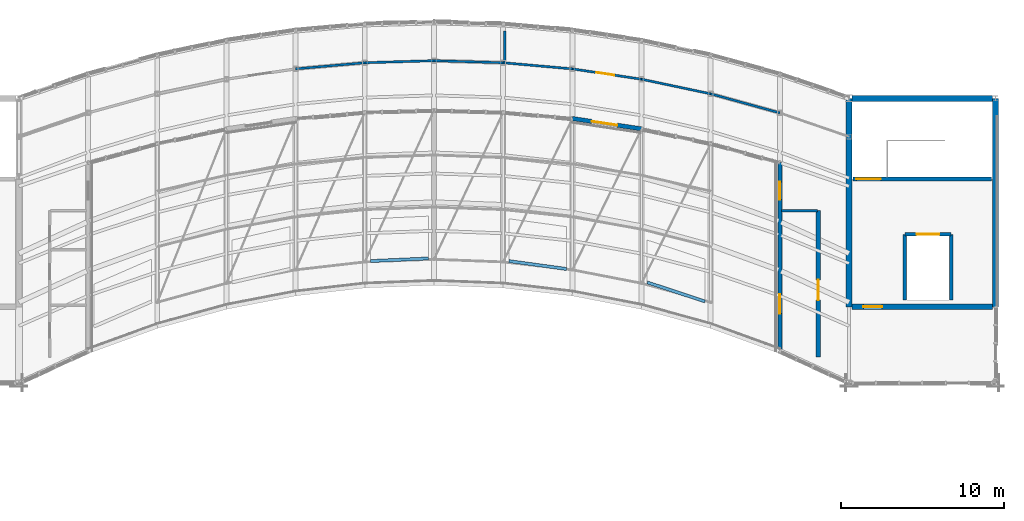
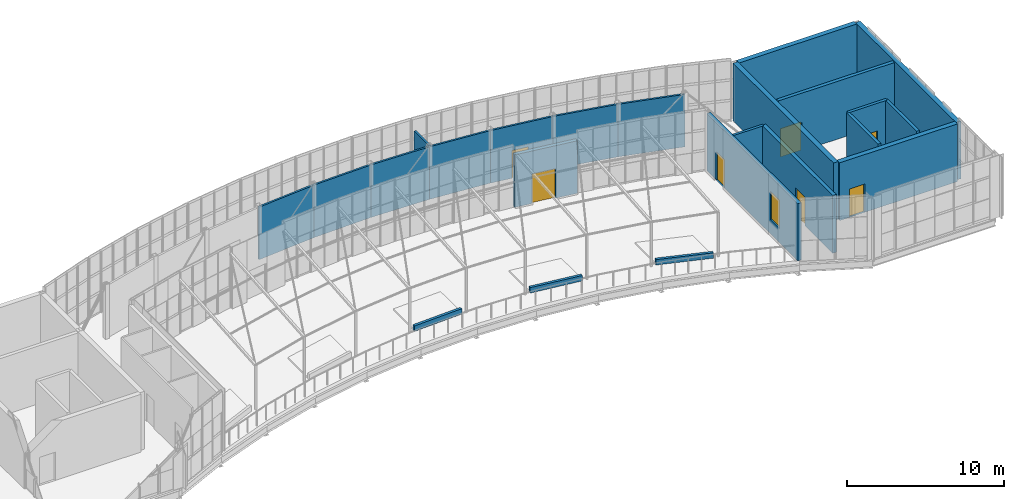
# One storey, part 32 of 35: 23 walls, 7 doors, 1 window, 8 openings.
"""IFC4 building model written with IfcOpenShell, lengths in metres."""

import ifcopenshell
import ifcopenshell.guid

model = None  # the IFC model being written
_history = None  # IfcOwnerHistory: only IFC2X3 demands one
_inside = {}  # id of a spatial element -> (the spatial element, [elements in it])
_under = {}  # id of a project, library or spatial element -> (it, [spatial elements below it])
_declared = {}  # id of a project -> (the project, [libraries it declares])
_typed = {}  # id of a type object -> (the type object, [elements of that type])
_made_of = {}  # id of a material, layer set ... -> (it, [elements and type objects made of it])


def new_model(schema):
    """Start an empty IFC model of exactly this schema.

    Asked for "IFC4X3", IfcOpenShell would pick the latest addendum, in which some entities
    have other attributes; the version numbers below select the first issue.
    IFC2X3 requires an IfcOwnerHistory on every rooted entity: one is made here for all.
    """
    global model, _history
    if schema == "IFC4X3":
        model = ifcopenshell.file(schema_version=(4, 3, 0, 0))
    else:
        model = ifcopenshell.file(schema=schema)
    _inside.clear()
    _under.clear()
    _declared.clear()
    _typed.clear()
    _made_of.clear()
    _history = None
    if model.schema == "IFC2X3":
        org = make("IfcOrganization", Name="unknown")
        user = make(
            "IfcPersonAndOrganization",
            ThePerson=make("IfcPerson", FamilyName="unknown"),
            TheOrganization=org,
        )
        app = make(
            "IfcApplication",
            ApplicationDeveloper=org,
            Version="unknown",
            ApplicationFullName="unknown",
            ApplicationIdentifier="unknown",
        )
        _history = make(
            "IfcOwnerHistory",
            OwningUser=user,
            OwningApplication=app,
            ChangeAction="ADDED",
            CreationDate=0,
        )
    return model


def make(cls, **values):
    """One entity of the class cls with the attributes given. An attribute that is None is left unset."""
    return model.create_entity(
        cls, **{name: value for name, value in values.items() if value is not None}
    )


def rooted(cls, **values):
    """An entity with a GlobalId (a new one), such as an element, a storey or a relation."""
    return make(cls, GlobalId=ifcopenshell.guid.new(), OwnerHistory=_history, **values)


def si_unit(unit_type, name, prefix=None):
    """IfcSIUnit, for example si_unit("LENGTHUNIT", "METRE", prefix="MILLI")."""
    return make("IfcSIUnit", UnitType=unit_type, Prefix=prefix, Name=name)


def assignment(units):
    """IfcUnitAssignment: the units of a project."""
    return None if units is None else make("IfcUnitAssignment", Units=units)


def point(xyz):
    """IfcCartesianPoint."""
    return None if xyz is None else make("IfcCartesianPoint", Coordinates=xyz)


def direction(xyz):
    """IfcDirection."""
    return None if xyz is None else make("IfcDirection", DirectionRatios=xyz)


def frame(location, z_axis=None, x_axis=None):
    """IfcAxis2Placement3D, a coordinate frame: its origin and axes. An axis left out is left unset."""
    return make(
        "IfcAxis2Placement3D",
        Location=point(location),
        Axis=direction(z_axis),
        RefDirection=direction(x_axis),
    )


def frame_2d(location, x_axis=None):
    """IfcAxis2Placement2D, a coordinate frame in the plane: its origin and x axis."""
    return make(
        "IfcAxis2Placement2D", Location=point(location), RefDirection=direction(x_axis)
    )


def origin():
    """The frame at (0, 0, 0) with its axes left unset."""
    return frame((0.0, 0.0, 0.0))


def place(relative_to, where):
    """IfcLocalPlacement: puts the frame where relative to a parent placement (None: the world)."""
    return make(
        "IfcLocalPlacement", PlacementRelTo=relative_to, RelativePlacement=where
    )


def context(
    kind, dimensions, precision=None, world=None, true_north=None, identifier=None
):
    """IfcGeometricRepresentationContext, for example the 3D "Model" context."""
    return make(
        "IfcGeometricRepresentationContext",
        ContextIdentifier=identifier,
        ContextType=kind,
        CoordinateSpaceDimension=dimensions,
        Precision=precision,
        WorldCoordinateSystem=world,
        TrueNorth=true_north,
    )


def subcontext(parent, identifier, kind, view, scale=None):
    """IfcGeometricRepresentationSubContext, for example "Body" below "Model"."""
    return make(
        "IfcGeometricRepresentationSubContext",
        ContextIdentifier=identifier,
        ContextType=kind,
        ParentContext=parent,
        TargetScale=scale,
        TargetView=view,
    )


def project(units=None, contexts=None):
    """IfcProject with its units and contexts."""
    return rooted(
        "IfcProject",
        Name="project",
        RepresentationContexts=contexts,
        UnitsInContext=assignment(units),
    )


def spatial(cls, under=None, at=None, **own):
    """A site, building, storey or space (cls), placed at a placement, below another one or the project."""
    s = rooted(cls, ObjectPlacement=at, **own)
    if under is not None:
        _under.setdefault(under.id(), (under, []))[1].append(s)
    return s


def profile(cls, at=None, kind="AREA", **sizes):
    """A parametric profile (cls). Its sizes go by their IFC names, for example OverallWidth=200.0."""
    return make(cls, ProfileType=kind, Position=at, **sizes)


def rectangle(**sizes):
    """IfcRectangleProfileDef."""
    return profile("IfcRectangleProfileDef", **sizes)


def extrude(swept, where, along, depth):
    """IfcExtrudedAreaSolid: the profile swept, set in the frame where, extruded along a direction by depth."""
    return make(
        "IfcExtrudedAreaSolid",
        SweptArea=swept,
        Position=where,
        ExtrudedDirection=direction(along),
        Depth=depth,
    )


def shape(context_of_items, identifier, shape_type, items):
    """IfcShapeRepresentation: the items that make up one representation, for example the "Body"."""
    return make(
        "IfcShapeRepresentation",
        ContextOfItems=context_of_items,
        RepresentationIdentifier=identifier,
        RepresentationType=shape_type,
        Items=items,
    )


def material(Name=None, Category=None):
    """IfcMaterial."""
    return make("IfcMaterial", Name=Name, Category=Category)


def layer(
    of_material, thickness, ventilated=None, Name=None, Category=None, Priority=None
):
    """IfcMaterialLayer: one layer of a wall or slab, of a material (None: an air gap)."""
    return make(
        "IfcMaterialLayer",
        Material=of_material,
        LayerThickness=thickness,
        IsVentilated=ventilated,
        Name=Name,
        Category=Category,
        Priority=Priority,
    )


def layer_set(layers, Name=None):
    """IfcMaterialLayerSet."""
    return make("IfcMaterialLayerSet", MaterialLayers=layers, LayerSetName=Name)


def made_of(thing, what):
    """Note that an element or type object is made of a material, layer set ...; save() writes the relation."""
    if what is not None:
        _made_of.setdefault(what.id(), (what, []))[1].append(thing)
    return thing


def type_object(cls, material=None, **own):
    """A type object (cls), such as IfcWallType, which elements share."""
    return made_of(rooted(cls, **own), material)


def element(
    cls,
    number,
    at=None,
    inside=None,
    cuts=None,
    type_object=None,
    material=None,
    context=None,
    identifier="Body",
    shape_type=None,
    held_by="IfcProductDefinitionShape",
    body=None,
    shapes=None,
    **own,
):
    """One element of the class cls, such as IfcWall. Its Tag is "e" and its number.

    at: its placement. inside: the storey or other place that contains it. cuts: it is an
    opening in that element (IfcRelVoidsElement). A single representation is given by context,
    identifier, shape_type and body (its items); several are given by shapes. held_by: the class
    of the entity that holds the representations. save() writes the other relations.
    """
    e = rooted(cls, Tag="e%d" % number, ObjectPlacement=at, **own)
    if body is not None:
        shapes = [shape(context, identifier, shape_type, body)]
    if shapes is not None:
        e.Representation = make(held_by, Representations=shapes)
    if inside is not None:
        _inside.setdefault(inside.id(), (inside, []))[1].append(e)
    if cuts is not None:
        rooted(
            "IfcRelVoidsElement", RelatingBuildingElement=cuts, RelatedOpeningElement=e
        )
    if type_object is not None:
        _typed.setdefault(type_object.id(), (type_object, []))[1].append(e)
    return made_of(e, material)


def fill(opening, filler):
    """IfcRelFillsElement: the door or window that sits in an opening."""
    return rooted(
        "IfcRelFillsElement",
        RelatingOpeningElement=opening,
        RelatedBuildingElement=filler,
    )


def aggregate(whole, parts):
    """IfcRelAggregates: a whole, such as a stair, and the parts it consists of."""
    return rooted("IfcRelAggregates", RelatingObject=whole, RelatedObjects=parts)


def save(model, path):
    """Write the relations noted so far, then the file.

    IfcRelAggregates (storeys below a building ...), IfcRelContainedInSpatialStructure (elements
    in a storey), IfcRelDefinesByType, IfcRelAssociatesMaterial and IfcRelDeclares: one each for
    every whole, place, type object, material and project.
    """
    for whole, parts in _under.values():
        aggregate(whole, parts)
    for where, things in _inside.values():
        rooted(
            "IfcRelContainedInSpatialStructure",
            RelatedElements=things,
            RelatingStructure=where,
        )
    for kind, things in _typed.values():
        rooted("IfcRelDefinesByType", RelatedObjects=things, RelatingType=kind)
    for what, things in _made_of.values():
        rooted("IfcRelAssociatesMaterial", RelatedObjects=things, RelatingMaterial=what)
    for by, libraries in _declared.values():
        rooted("IfcRelDeclares", RelatingContext=by, RelatedDefinitions=libraries)
    model.write(path)


model = new_model("IFC4")

# Units and contexts
model_context = context("Model", 3, precision=1e-05, world=origin(), true_north=direction((0.0, 1.0)))
body_context = subcontext(model_context, "Body", "Model", "MODEL_VIEW")
ifc_project = project(units=[si_unit("LENGTHUNIT", "METRE"), si_unit("AREAUNIT", "SQUARE_METRE"), si_unit("VOLUMEUNIT", "CUBIC_METRE"), si_unit("PLANEANGLEUNIT", "RADIAN"), si_unit("MASSUNIT", "GRAM", prefix="KILO")], contexts=[model_context])

# Site, building, storey
site_placement = place(None, origin())
site = spatial("IfcSite", under=ifc_project, at=site_placement, CompositionType="ELEMENT")
building_placement = place(site_placement, origin())
building = spatial("IfcBuilding", under=site, at=building_placement, Name="Solvikara Media Centre", CompositionType="ELEMENT")
storey_placement = place(building_placement, frame((0.0, 0.0, 29.39990234375)))
storey = spatial("IfcBuildingStorey", under=building, at=storey_placement, Name="L06", CompositionType="ELEMENT", Elevation=29.39990234375)

# Walls
ifc_material_1 = material(Name="Concrete fc' 45 MPa (C45/55)", Category="concrete")
ifc_layer_1 = layer(ifc_material_1, 0.35009765625)
ifc_layer_set_1 = layer_set([ifc_layer_1], Name="Concrete fc' 45 MPa (C45/55)")
wall_type_1 = type_object("IfcWallType", Name="WT-03", PredefinedType="SHEAR", material=ifc_layer_set_1)
for number, where, z_axis, x_axis, name in (
    (1, (127.5, 24.0, 0.0), (0.0, 0.0, 1.0), (0.0, 1.0, 0.0), "CW-C4-L06-W"),
    (2, (136.5, 24.0, 0.0), (0.0, 0.0, 1.0), (0.0, 1.0, 0.0), "CW-C4-L06-E"),
):
    element("IfcWall", number, at=place(storey_placement, frame(where, z_axis=z_axis, x_axis=x_axis)), inside=storey, type_object=wall_type_1, Name=name, PredefinedType="SHEAR", context=body_context, shape_type="SweptSolid", body=[
        extrude(rectangle(XDim=12.800048828125, YDim=0.35009765625, at=frame_2d((6.39990234375, 0.0))), origin(), (0.0, 0.0, 1.0), 4.489990234375),
    ])
wall_1_placement = place(storey_placement, frame((127.675048828125, 36.800048828125, 0.0), z_axis=(0.0, 0.0, 1.0), x_axis=(1.0, 0.0, 0.0)))
element("IfcWall", 3, at=wall_1_placement, inside=storey, type_object=wall_type_1, Name="CW-C4-L06-N", PredefinedType="SHEAR", context=body_context, shape_type="SweptSolid", body=[
    extrude(rectangle(XDim=8.64990234375, YDim=0.35009765625, at=frame_2d((4.324951171875, 0.0))), origin(), (0.0, 0.0, 1.0), 4.489990234375),
])

# Wall, opening, door
wall_2_placement = place(storey_placement, frame((127.675048828125, 24.0, 0.0), z_axis=(0.0, 0.0, 1.0), x_axis=(1.0, 0.0, 0.0)))
wall_2 = element("IfcWall", 4, at=wall_2_placement, inside=storey, type_object=wall_type_1, Name="CW-C4-L06-S", PredefinedType="SHEAR", context=body_context, shape_type="SweptSolid", body=[
    extrude(rectangle(XDim=8.64990234375, YDim=0.35009765625, at=frame_2d((4.324951171875, 0.0))), origin(), (0.0, 0.0, 1.0), 4.489990234375),
])
opening_1_placement = place(wall_2_placement, frame((0.699951171875, 0.0, 0.0)))
opening_1 = element("IfcOpeningElement", 5, at=opening_1_placement, cuts=wall_2, Name="Opening D-C4-L06-LOB", PredefinedType="OPENING", context=body_context, shape_type="SweptSolid", body=[
    extrude(rectangle(XDim=1.14990234375, YDim=2.199951171875, at=frame_2d((0.574951171875, 1.10009765625))), frame((0.0, 0.18701171875, 0.0), z_axis=(0.0, -1.0, 0.0), x_axis=(1.0, 0.0, 0.0)), (0.0, 0.0, 1.0), 0.3740234375),
])
ifc_material_2 = material(Name="Insulated fire-rated steel door leaf", Category="steel")
door_type_1 = type_object("IfcDoorType", Name="DT-09", OperationType="NOTDEFINED", PredefinedType="DOOR", material=ifc_material_2)
door_1_placement = place(opening_1_placement, frame((1.14990234375, 0.0, 0.0), z_axis=(0.0, 0.0, 1.0), x_axis=(-1.0, 0.0, 0.0)))
door_1 = element("IfcDoor", 6, at=door_1_placement, inside=storey, type_object=door_type_1, Name="D-C4-L06-LOB", OperationType="SINGLE_SWING_RIGHT", OverallHeight=2.199951171875, OverallWidth=1.14990234375, PredefinedType="DOOR", context=body_context, shape_type="SweptSolid", body=[
    extrude(rectangle(XDim=1.14990234375, YDim=2.199951171875, at=frame_2d((0.574951171875, 1.10009765625))), frame((0.0, 0.02490234375, 0.0), z_axis=(0.0, -1.0, 0.0), x_axis=(1.0, 0.0, 0.0)), (0.0, 0.0, 1.0), 0.050048828125),
])
fill(opening_1, door_1)

ifc_layer_2 = layer(ifc_material_1, 0.25)
ifc_layer_set_2 = layer_set([ifc_layer_2], Name="Concrete fc' 45 MPa (C45/55)")
wall_type_2 = type_object("IfcWallType", Name="WT-07", PredefinedType="STANDARD", material=ifc_layer_set_2)
wall_3_placement = place(storey_placement, frame((127.75, 31.85009765625, 0.0), z_axis=(0.0, 0.0, 1.0), x_axis=(1.0, 0.0, 0.0)))
wall_3 = element("IfcWall", 7, at=wall_3_placement, inside=storey, type_object=wall_type_2, Name="CW-C4-L06-SD", PredefinedType="STANDARD", context=body_context, shape_type="SweptSolid", body=[
    extrude(rectangle(XDim=8.5, YDim=0.25, at=frame_2d((4.25, 0.0))), origin(), (0.0, 0.0, 1.0), 4.489990234375),
])
opening_2_placement = place(wall_3_placement, frame((0.199951171875, 0.0, 0.0)))
opening_2 = element("IfcOpeningElement", 8, at=opening_2_placement, cuts=wall_3, Name="Opening D-C4-L06-ST", PredefinedType="OPENING", context=body_context, shape_type="SweptSolid", body=[
    extrude(rectangle(XDim=1.5, YDim=2.199951171875, at=frame_2d((0.75, 1.10009765625))), frame((0.0, 0.136962890625, 0.0), z_axis=(0.0, -1.0, 0.0), x_axis=(1.0, 0.0, 0.0)), (0.0, 0.0, 1.0), 0.27392578125),
])
door_type_2 = type_object("IfcDoorType", Name="DT-08", OperationType="DOUBLE_DOOR_SINGLE_SWING", PredefinedType="DOOR", material=ifc_material_2)
door_2_placement = place(opening_2_placement, frame((1.5, 0.0, 0.0), z_axis=(0.0, 0.0, 1.0), x_axis=(-1.0, 0.0, 0.0)))
door_2 = element("IfcDoor", 9, at=door_2_placement, inside=storey, type_object=door_type_2, Name="D-C4-L06-ST", OperationType="DOUBLE_DOOR_SINGLE_SWING", OverallHeight=2.199951171875, OverallWidth=1.5, PredefinedType="DOOR", context=body_context, shape_type="SweptSolid", body=[
    extrude(rectangle(XDim=1.5, YDim=2.199951171875, at=frame_2d((0.75, 1.10009765625))), frame((0.0, 0.02490234375, 0.0), z_axis=(0.0, -1.0, 0.0), x_axis=(1.0, 0.0, 0.0)), (0.0, 0.0, 1.0), 0.050048828125),
])
fill(opening_2, door_2)

ifc_material_3 = material(Name="Precast concrete fc' 40 MPa (C40/50)", Category="concrete")
ifc_layer_3 = layer(ifc_material_3, 0.260009765625)
ifc_layer_set_3 = layer_set([ifc_layer_3], Name="Precast concrete fc' 40 MPa (C40/50)")
wall_type_3 = type_object("IfcWallType", Name="WT-12", PredefinedType="STANDARD", material=ifc_layer_set_3)
wall_4_placement = place(storey_placement, frame((110.5, 35.56396484375, 0.0), z_axis=(0.0, 0.0, 1.0), x_axis=(0.989021203369, -0.147773675894, 0.0)))
wall_4 = element("IfcWall", 10, at=wall_4_placement, inside=storey, type_object=wall_type_3, Name="EW-L06-GAL-S08", PredefinedType="STANDARD", context=body_context, shape_type="SweptSolid", body=[
    extrude(rectangle(XDim=4.297119140625, YDim=0.260009765625, at=frame_2d((2.1484375, 0.0))), origin(), (0.0, 0.0, 1.0), 4.08203125),
])
opening_3_placement = place(wall_4_placement, frame((1.199951171875, 0.0, 0.0)))
opening_3 = element("IfcOpeningElement", 11, at=opening_3_placement, cuts=wall_4, Name="Opening TD-L06-TER-08", PredefinedType="OPENING", context=body_context, shape_type="SweptSolid", body=[
    extrude(rectangle(XDim=1.60009765625, YDim=2.300048828125, at=frame_2d((0.800048828125, 1.14990234375))), frame((0.0, 0.14208984375, 0.0), z_axis=(0.0, -1.0, 0.0), x_axis=(1.0, 0.0, 0.0)), (0.0, 0.0, 1.0), 0.283935546875),
])
ifc_material_4 = material(Name="Anodised aluminium EN AW-6063", Category="aluminium")
door_type_3 = type_object("IfcDoorType", Name="DT-04", OperationType="DOUBLE_DOOR_SINGLE_SWING", PredefinedType="DOOR", material=ifc_material_4)
door_3_placement = place(opening_3_placement, frame((1.60009765625, 0.0, 0.0), z_axis=(0.0, 0.0, 1.0), x_axis=(-1.0, 0.0, 0.0)))
door_3 = element("IfcDoor", 12, at=door_3_placement, inside=storey, type_object=door_type_3, Name="TD-L06-TER-08", OperationType="DOUBLE_DOOR_SINGLE_SWING", OverallHeight=2.300048828125, OverallWidth=1.60009765625, PredefinedType="DOOR", context=body_context, shape_type="SweptSolid", body=[
    extrude(rectangle(XDim=1.60009765625, YDim=2.300048828125, at=frame_2d((0.800048828125, 1.14990234375))), frame((0.0, 0.02490234375, 0.0), z_axis=(0.0, -1.0, 0.0), x_axis=(1.0, 0.0, 0.0)), (0.0, 0.0, 1.0), 0.050048828125),
])
fill(opening_3, door_3)

# Wall, openings, door, window
wall_5_placement = place(storey_placement, frame((123.25, 21.279052734375, 0.0), z_axis=(0.0, 0.0, 1.0), x_axis=(0.0, 1.0, 0.0)))
wall_5 = element("IfcWall", 13, at=wall_5_placement, inside=storey, type_object=wall_type_3, Name="EW-L06-PAVE-W", PredefinedType="STANDARD", context=body_context, shape_type="SweptSolid", body=[
    extrude(rectangle(XDim=11.5810546875, YDim=0.260009765625, at=frame_2d((5.79052734375, 0.0))), origin(), (0.0, 0.0, 1.0), 4.4501953125),
])
opening_4_placement = place(wall_5_placement, frame((9.300048828125, 0.0, 0.0)))
opening_4 = element("IfcOpeningElement", 14, at=opening_4_placement, cuts=wall_5, Name="Opening TD-L06-PAVE", PredefinedType="OPENING", context=body_context, shape_type="SweptSolid", body=[
    extrude(rectangle(XDim=1.10009765625, YDim=2.199951171875, at=frame_2d((0.550048828125, 1.10009765625))), frame((0.0, 0.14208984375, 0.0), z_axis=(0.0, -1.0, 0.0), x_axis=(1.0, 0.0, 0.0)), (0.0, 0.0, 1.0), 0.283935546875),
])
opening_5_placement = place(wall_5_placement, frame((2.294921875, 0.0, 1.10009765625)))
opening_5 = element("IfcOpeningElement", 15, at=opening_5_placement, cuts=wall_5, Name="Opening W-L06-PAVEW-W01", PredefinedType="OPENING", context=body_context, shape_type="SweptSolid", body=[
    extrude(rectangle(XDim=1.199951171875, YDim=2.199951171875, at=frame_2d((0.60009765625, 1.10009765625))), frame((0.0, 0.14208984375, 0.0), z_axis=(0.0, -1.0, 0.0), x_axis=(1.0, 0.0, 0.0)), (0.0, 0.0, 1.0), 0.283935546875),
])
door_type_4 = type_object("IfcDoorType", Name="DT-05", OperationType="NOTDEFINED", PredefinedType="DOOR", material=ifc_material_4)
door_4_placement = place(opening_4_placement, origin())
door_4 = element("IfcDoor", 16, at=door_4_placement, inside=storey, type_object=door_type_4, Name="TD-L06-PAVE", OperationType="SINGLE_SWING_RIGHT", OverallHeight=2.199951171875, OverallWidth=1.10009765625, PredefinedType="DOOR", context=body_context, shape_type="SweptSolid", body=[
    extrude(rectangle(XDim=1.10009765625, YDim=2.199951171875, at=frame_2d((0.550048828125, 1.10009765625))), frame((0.0, 0.02490234375, 0.0), z_axis=(0.0, -1.0, 0.0), x_axis=(1.0, 0.0, 0.0)), (0.0, 0.0, 1.0), 0.050048828125),
])
fill(opening_4, door_4)
ifc_material_5 = material(Name="Double-glazed low-E architectural glass", Category="glass")
window_type = type_object("IfcWindowType", Name="WN-06", PartitioningType="SINGLE_PANEL", PredefinedType="WINDOW", material=ifc_material_5)
window_placement = place(opening_5_placement, origin())
window = element("IfcWindow", 17, at=window_placement, inside=storey, type_object=window_type, Name="W-L06-PAVEW-W01", OverallHeight=2.199951171875, OverallWidth=1.199951171875, PartitioningType="SINGLE_PANEL", PredefinedType="WINDOW", context=body_context, shape_type="SweptSolid", body=[
    extrude(rectangle(XDim=1.199951171875, YDim=2.199951171875, at=frame_2d((0.60009765625, 1.10009765625))), frame((0.0, 0.030029296875, 0.0), z_axis=(0.0, -1.0, 0.0), x_axis=(1.0, 0.0, 0.0)), (0.0, 0.0, 1.0), 0.06005859375),
])
fill(opening_5, window)

# Walls
ifc_layer_4 = layer(ifc_material_3, 0.18994140625)
ifc_layer_set_4 = layer_set([ifc_layer_4], Name="Precast concrete fc' 40 MPa (C40/50)")
wall_type_4 = type_object("IfcWallType", Name="WT-15", PredefinedType="PARAPET", material=ifc_layer_set_4)
wall_6_placement = place(storey_placement, frame((98.10009765625, 26.804931640625, 0.0), z_axis=(0.0, 0.0, 1.0), x_axis=(0.99895888498, 0.045619580442, 0.0)))
element("IfcWall", 18, at=wall_6_placement, inside=storey, type_object=wall_type_4, Name="KRB-L06-06", PredefinedType="PARAPET", context=body_context, shape_type="SweptSolid", body=[
    extrude(rectangle(XDim=3.553466796875, YDim=0.18994140625, at=frame_2d((1.77685546875, 0.0))), origin(), (0.0, 0.0, 1.0), 0.420166015625),
])
wall_7_placement = place(storey_placement, frame((106.60009765625, 26.804931640625, 0.0), z_axis=(0.0, 0.0, 1.0), x_axis=(0.990727052091, -0.13586724497, 0.0)))
element("IfcWall", 19, at=wall_7_placement, inside=storey, type_object=wall_type_4, Name="KRB-L06-08", PredefinedType="PARAPET", context=body_context, shape_type="SweptSolid", body=[
    extrude(rectangle(XDim=3.5830078125, YDim=0.18994140625, at=frame_2d((1.79150390625, 0.0))), origin(), (0.0, 0.0, 1.0), 0.420166015625),
])
wall_8_placement = place(storey_placement, frame((115.10009765625, 25.49609375, 0.0), z_axis=(0.0, 0.0, 1.0), x_axis=(0.949574216595, -0.313542353086, 0.0)))
element("IfcWall", 20, at=wall_8_placement, inside=storey, type_object=wall_type_4, Name="KRB-L06-10", PredefinedType="PARAPET", context=body_context, shape_type="SweptSolid", body=[
    extrude(rectangle(XDim=3.73828125, YDim=0.18994140625, at=frame_2d((1.869140625, 0.0))), origin(), (0.0, 0.0, 1.0), 0.420166015625),
])

# Wall, opening, door
ifc_material_6 = material(Name="Double-stud acoustic gypsum partition assembly")
ifc_layer_5 = layer(ifc_material_6, 0.27001953125)
ifc_layer_set_5 = layer_set([ifc_layer_5], Name="Double-stud acoustic gypsum partition assembly")
wall_type_5 = type_object("IfcWallType", Name="WT-16", PredefinedType="PARTITIONING", material=ifc_layer_set_5)
wall_9_placement = place(storey_placement, frame((125.60009765625, 20.89990234375, 0.0), z_axis=(0.0, 0.0, 1.0), x_axis=(0.0, 1.0, 0.0)))
wall_9 = element("IfcWall", 21, at=wall_9_placement, inside=storey, type_object=wall_type_5, Name="PW-L06-184", PredefinedType="PARTITIONING", context=body_context, shape_type="SweptSolid", body=[
    extrude(rectangle(XDim=9.0, YDim=0.27001953125, at=frame_2d((4.5, 0.0))), origin(), (0.0, 0.0, 1.0), 4.5),
])
opening_6_placement = place(wall_9_placement, frame((3.5, 0.0, 0.0)))
opening_6 = element("IfcOpeningElement", 22, at=opening_6_placement, cuts=wall_9, Name="Opening D-L06-184-1", PredefinedType="OPENING", context=body_context, shape_type="SweptSolid", body=[
    extrude(rectangle(XDim=1.25, YDim=2.25, at=frame_2d((0.625, 1.125))), frame((0.0, 0.14697265625, 0.0), z_axis=(0.0, -1.0, 0.0), x_axis=(1.0, 0.0, 0.0)), (0.0, 0.0, 1.0), 0.2939453125),
])
ifc_material_7 = material(Name="Solid core acoustic hardwood timber", Category="wood")
door_type_5 = type_object("IfcDoorType", Name="DT-15", OperationType="NOTDEFINED", PredefinedType="DOOR", material=ifc_material_7)
door_5_placement = place(opening_6_placement, origin())
door_5 = element("IfcDoor", 23, at=door_5_placement, inside=storey, type_object=door_type_5, Name="D-L06-184-1", OperationType="SINGLE_SWING_RIGHT", OverallHeight=2.25, OverallWidth=1.25, PredefinedType="DOOR", context=body_context, shape_type="SweptSolid", body=[
    extrude(rectangle(XDim=1.25, YDim=2.25, at=frame_2d((0.625, 1.125))), frame((0.0, 0.02490234375, 0.0), z_axis=(0.0, -1.0, 0.0), x_axis=(1.0, 0.0, 0.0)), (0.0, 0.0, 1.0), 0.050048828125),
])
fill(opening_6, door_5)

# Walls
ifc_material_8 = material(Name="Fire-rated gypsum and mineral-wool shaft wall assembly")
ifc_layer_6 = layer(ifc_material_8, 0.2099609375)
ifc_layer_set_6 = layer_set([ifc_layer_6], Name="Fire-rated gypsum and mineral-wool shaft wall assembly")
wall_type_6 = type_object("IfcWallType", Name="WT-17", PredefinedType="PARTITIONING", material=ifc_layer_set_6)
for number, where, z_axis, x_axis, name in (
    (24, (130.929931640625, 24.39990234375, 0.0), (0.0, 0.0, 1.0), (0.0, 1.0, 0.0), "LW-LF-G1-L06-W"),
    (25, (133.77001953125, 24.39990234375, 0.0), (0.0, 0.0, 1.0), (0.0, 1.0, 0.0), "LW-LF-G1-L06-E"),
):
    element("IfcWall", number, at=place(storey_placement, frame(where, z_axis=z_axis, x_axis=x_axis)), inside=storey, type_object=wall_type_6, Name=name, PredefinedType="PARTITIONING", context=body_context, shape_type="SweptSolid", body=[
        extrude(rectangle(XDim=4.050048828125, YDim=0.2099609375, at=frame_2d((2.02490234375, 0.0))), origin(), (0.0, 0.0, 1.0), 4.489990234375),
    ])

# Wall, opening, door
wall_10_placement = place(storey_placement, frame((130.929931640625, 28.449951171875, 0.0), z_axis=(0.0, 0.0, 1.0), x_axis=(1.0, 0.0, 0.0)))
wall_10 = element("IfcWall", 26, at=wall_10_placement, inside=storey, type_object=wall_type_6, Name="LW-LF-G1-L06-N", PredefinedType="PARTITIONING", context=body_context, shape_type="SweptSolid", body=[
    extrude(rectangle(XDim=2.840087890625, YDim=0.2099609375, at=frame_2d((1.419921875, 0.0))), origin(), (0.0, 0.0, 1.0), 4.489990234375),
])
opening_7_placement = place(wall_10_placement, frame((0.719970703125, 0.0, 0.0)))
opening_7 = element("IfcOpeningElement", 27, at=opening_7_placement, cuts=wall_10, Name="Opening LD-LF-G1-L06", PredefinedType="OPENING", context=body_context, shape_type="SweptSolid", body=[
    extrude(rectangle(XDim=1.39990234375, YDim=2.35009765625, at=frame_2d((0.699951171875, 1.175048828125))), frame((0.0, 0.116943359375, 0.0), z_axis=(0.0, -1.0, 0.0), x_axis=(1.0, 0.0, 0.0)), (0.0, 0.0, 1.0), 0.23388671875),
])
door_type_6 = type_object("IfcDoorType", Name="LD-03", OperationType="DOUBLE_DOOR_SLIDING", PredefinedType="DOOR", material=ifc_material_2)
door_6_placement = place(opening_7_placement, origin())
door_6 = element("IfcDoor", 28, at=door_6_placement, inside=storey, type_object=door_type_6, Name="LD-LF-G1-L06", OperationType="DOUBLE_DOOR_SLIDING", OverallHeight=2.35009765625, OverallWidth=1.39990234375, PredefinedType="DOOR", context=body_context, shape_type="SweptSolid", body=[
    extrude(rectangle(XDim=1.39990234375, YDim=2.35009765625, at=frame_2d((0.699951171875, 1.175048828125))), frame((0.0, 0.02490234375, 0.0), z_axis=(0.0, -1.0, 0.0), x_axis=(1.0, 0.0, 0.0)), (0.0, 0.0, 1.0), 0.050048828125),
])
fill(opening_7, door_6)

# Walls
ifc_layer_7 = layer(ifc_material_8, 0.179931640625)
ifc_layer_set_7 = layer_set([ifc_layer_7], Name="Fire-rated gypsum and mineral-wool shaft wall assembly")
wall_type_7 = type_object("IfcWallType", Name="WT-18", PredefinedType="PARTITIONING", material=ifc_layer_set_7)
wall_11_placement = place(storey_placement, frame((123.35009765625, 29.89990234375, 0.0), z_axis=(0.0, 0.0, 1.0), x_axis=(1.0, 0.0, 0.0)))
element("IfcWall", 29, at=wall_11_placement, inside=storey, type_object=wall_type_7, Name="PW-L06-185", PredefinedType="PARTITIONING", context=body_context, shape_type="SweptSolid", body=[
    extrude(rectangle(XDim=2.199951171875, YDim=0.179931640625, at=frame_2d((1.10009765625, 0.0))), origin(), (0.0, 0.0, 1.0), 4.5),
])
ifc_layer_8 = layer(ifc_material_6, 0.139892578125)
ifc_layer_set_8 = layer_set([ifc_layer_8], Name="Double-stud acoustic gypsum partition assembly")
wall_type_8 = type_object("IfcWallType", Name="WT-20", PredefinedType="PARTITIONING", material=ifc_layer_set_8)
wall_12_placement = place(storey_placement, frame((93.5, 38.614013671875, 0.0), z_axis=(0.0, 0.0, 1.0), x_axis=(0.996089667749, 0.088348026597, 0.0)))
element("IfcWall", 30, at=wall_12_placement, inside=storey, type_object=wall_type_8, Name="PW-L06-176", PredefinedType="PARTITIONING", context=body_context, shape_type="SweptSolid", body=[
    extrude(rectangle(XDim=4.2666015625, YDim=0.139892578125, at=frame_2d((2.13330078125, 0.0))), origin(), (0.0, 0.0, 1.0), 4.08203125),
])
for number, where, z_axis, x_axis, name in (
    (31, (97.75, 38.990966796875, 0.0), (0.0, 0.0, 1.0), (0.99956097871, 0.029628530849, 0.0), "PW-L06-177"),
    (32, (102.0, 39.116943359375, 0.0), (0.0, 0.0, 1.0), (0.99956097871, -0.029628530849, 0.0), "PW-L06-178"),
):
    element("IfcWall", number, at=place(storey_placement, frame(where, z_axis=z_axis, x_axis=x_axis)), inside=storey, type_object=wall_type_8, Name=name, PredefinedType="PARTITIONING", context=body_context, shape_type="SweptSolid", body=[
        extrude(rectangle(XDim=4.251953125, YDim=0.139892578125, at=frame_2d((2.1259765625, 0.0))), origin(), (0.0, 0.0, 1.0), 4.08203125),
    ])
wall_13_placement = place(storey_placement, frame((106.25, 38.990966796875, 0.0), z_axis=(0.0, 0.0, 1.0), x_axis=(0.996089667749, -0.088348026597, 0.0)))
element("IfcWall", 33, at=wall_13_placement, inside=storey, type_object=wall_type_8, Name="PW-L06-179", PredefinedType="PARTITIONING", context=body_context, shape_type="SweptSolid", body=[
    extrude(rectangle(XDim=4.2666015625, YDim=0.139892578125, at=frame_2d((2.13330078125, 0.0))), origin(), (0.0, 0.0, 1.0), 4.08203125),
])

# Wall, opening, door
wall_14_placement = place(storey_placement, frame((110.5, 38.614013671875, 0.0), z_axis=(0.0, 0.0, 1.0), x_axis=(0.989021203369, -0.147773675894, 0.0)))
wall_14 = element("IfcWall", 34, at=wall_14_placement, inside=storey, type_object=wall_type_8, Name="PW-L06-180", PredefinedType="PARTITIONING", context=body_context, shape_type="SweptSolid", body=[
    extrude(rectangle(XDim=4.297119140625, YDim=0.139892578125, at=frame_2d((2.1484375, 0.0))), origin(), (0.0, 0.0, 1.0), 4.08203125),
])
opening_8_placement = place(wall_14_placement, frame((1.5, 0.0, 0.0)))
opening_8 = element("IfcOpeningElement", 35, at=opening_8_placement, cuts=wall_14, Name="Opening D-L06-180-1", PredefinedType="OPENING", context=body_context, shape_type="SweptSolid", body=[
    extrude(rectangle(XDim=1.10009765625, YDim=2.14990234375, at=frame_2d((0.550048828125, 1.074951171875))), frame((0.0, 0.08203125, 0.0), z_axis=(0.0, -1.0, 0.0), x_axis=(1.0, 0.0, 0.0)), (0.0, 0.0, 1.0), 0.163818359375),
])
door_type_7 = type_object("IfcDoorType", Name="DT-19", OperationType="NOTDEFINED", PredefinedType="DOOR", material=ifc_material_7)
door_7_placement = place(opening_8_placement, origin())
door_7 = element("IfcDoor", 36, at=door_7_placement, inside=storey, type_object=door_type_7, Name="D-L06-180-1", OperationType="SINGLE_SWING_RIGHT", OverallHeight=2.14990234375, OverallWidth=1.10009765625, PredefinedType="DOOR", context=body_context, shape_type="SweptSolid", body=[
    extrude(rectangle(XDim=1.10009765625, YDim=2.14990234375, at=frame_2d((0.550048828125, 1.074951171875))), frame((0.0, 0.02490234375, 0.0), z_axis=(0.0, -1.0, 0.0), x_axis=(1.0, 0.0, 0.0)), (0.0, 0.0, 1.0), 0.050048828125),
])
fill(opening_8, door_7)

# Walls
wall_15_placement = place(storey_placement, frame((114.75, 37.97900390625, 0.0), z_axis=(0.0, 0.0, 1.0), x_axis=(0.978400446345, -0.206718568569, 0.0)))
element("IfcWall", 37, at=wall_15_placement, inside=storey, type_object=wall_type_8, Name="PW-L06-181", PredefinedType="PARTITIONING", context=body_context, shape_type="SweptSolid", body=[
    extrude(rectangle(XDim=4.34375, YDim=0.139892578125, at=frame_2d((2.171875, 0.0))), origin(), (0.0, 0.0, 1.0), 4.08203125),
])
wall_16_placement = place(storey_placement, frame((119.0, 37.0810546875, 0.0), z_axis=(0.0, 0.0, 1.0), x_axis=(0.964066503431, -0.265661018897, 0.0)))
element("IfcWall", 38, at=wall_16_placement, inside=storey, type_object=wall_type_8, Name="PW-L06-182", PredefinedType="PARTITIONING", context=body_context, shape_type="SweptSolid", body=[
    extrude(rectangle(XDim=4.408447265625, YDim=0.139892578125, at=frame_2d((2.2041015625, 0.0))), origin(), (0.0, 0.0, 1.0), 4.08203125),
])
wall_17_placement = place(storey_placement, frame((106.35009765625, 39.034912109375, 0.0), z_axis=(0.0, 0.0, 1.0), x_axis=(0.0, 1.0, 0.0)))
element("IfcWall", 39, at=wall_17_placement, inside=storey, type_object=wall_type_8, Name="PW-L06-183", PredefinedType="PARTITIONING", context=body_context, shape_type="SweptSolid", body=[
    extrude(rectangle(XDim=1.900146484375, YDim=0.139892578125, at=frame_2d((0.9501953125, 0.0))), origin(), (0.0, 0.0, 1.0), 4.08203125),
])

save(model, "model.ifc")
